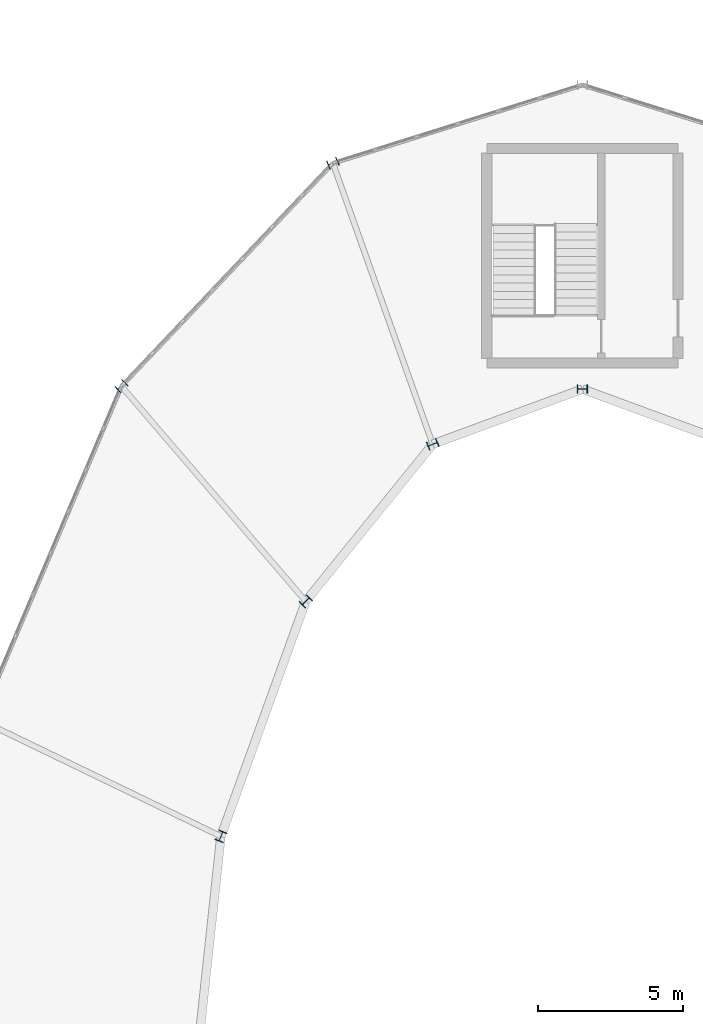
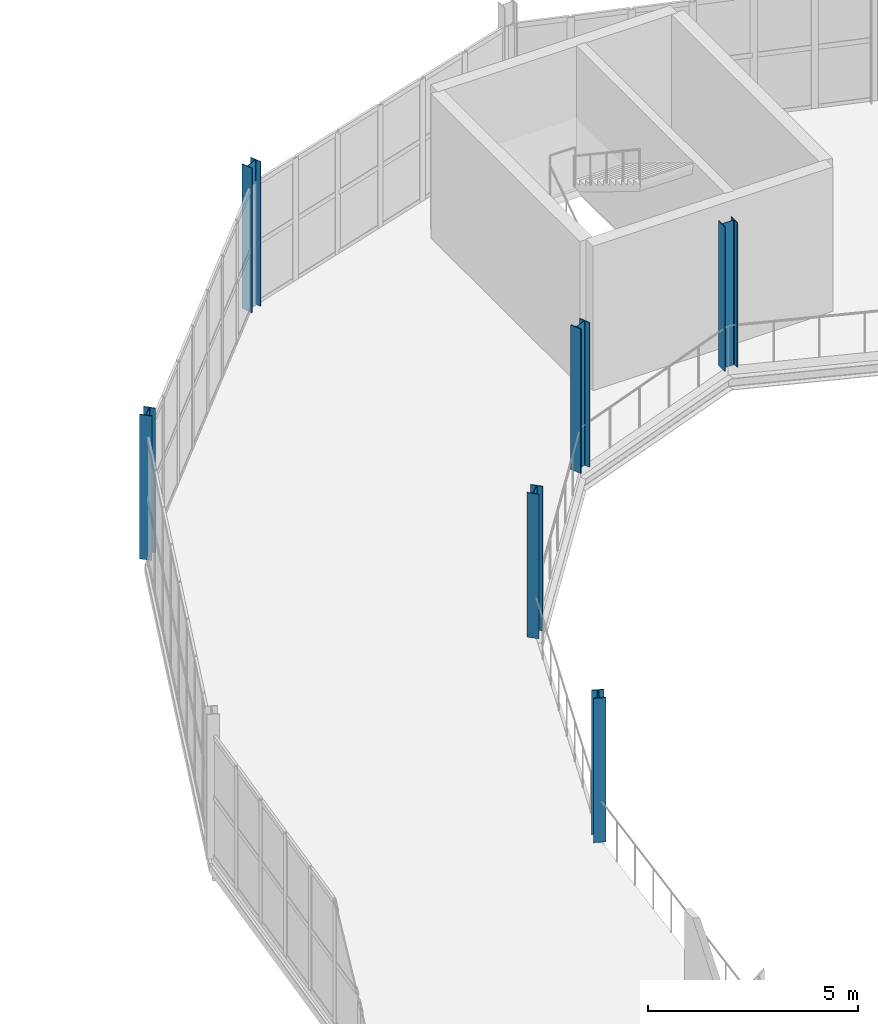
# One storey, part 26 of 161: 6 columns.
"""IFC4 building model written with IfcOpenShell, lengths in metres."""

import ifcopenshell
import ifcopenshell.guid

model = None  # the IFC model being written
_history = None  # IfcOwnerHistory: only IFC2X3 demands one
_inside = {}  # id of a spatial element -> (the spatial element, [elements in it])
_under = {}  # id of a project, library or spatial element -> (it, [spatial elements below it])
_declared = {}  # id of a project -> (the project, [libraries it declares])
_typed = {}  # id of a type object -> (the type object, [elements of that type])
_made_of = {}  # id of a material, layer set ... -> (it, [elements and type objects made of it])


def new_model(schema):
    """Start an empty IFC model of exactly this schema.

    Asked for "IFC4X3", IfcOpenShell would pick the latest addendum, in which some entities
    have other attributes; the version numbers below select the first issue.
    IFC2X3 requires an IfcOwnerHistory on every rooted entity: one is made here for all.
    """
    global model, _history
    if schema == "IFC4X3":
        model = ifcopenshell.file(schema_version=(4, 3, 0, 0))
    else:
        model = ifcopenshell.file(schema=schema)
    _inside.clear()
    _under.clear()
    _declared.clear()
    _typed.clear()
    _made_of.clear()
    _history = None
    if model.schema == "IFC2X3":
        org = make("IfcOrganization", Name="unknown")
        user = make(
            "IfcPersonAndOrganization",
            ThePerson=make("IfcPerson", FamilyName="unknown"),
            TheOrganization=org,
        )
        app = make(
            "IfcApplication",
            ApplicationDeveloper=org,
            Version="unknown",
            ApplicationFullName="unknown",
            ApplicationIdentifier="unknown",
        )
        _history = make(
            "IfcOwnerHistory",
            OwningUser=user,
            OwningApplication=app,
            ChangeAction="ADDED",
            CreationDate=0,
        )
    return model


def make(cls, **values):
    """One entity of the class cls with the attributes given. An attribute that is None is left unset."""
    return model.create_entity(
        cls, **{name: value for name, value in values.items() if value is not None}
    )


def rooted(cls, **values):
    """An entity with a GlobalId (a new one), such as an element, a storey or a relation."""
    return make(cls, GlobalId=ifcopenshell.guid.new(), OwnerHistory=_history, **values)


def si_unit(unit_type, name, prefix=None):
    """IfcSIUnit, for example si_unit("LENGTHUNIT", "METRE", prefix="MILLI")."""
    return make("IfcSIUnit", UnitType=unit_type, Prefix=prefix, Name=name)


def assignment(units):
    """IfcUnitAssignment: the units of a project."""
    return None if units is None else make("IfcUnitAssignment", Units=units)


def point(xyz):
    """IfcCartesianPoint."""
    return None if xyz is None else make("IfcCartesianPoint", Coordinates=xyz)


def direction(xyz):
    """IfcDirection."""
    return None if xyz is None else make("IfcDirection", DirectionRatios=xyz)


def frame(location, z_axis=None, x_axis=None):
    """IfcAxis2Placement3D, a coordinate frame: its origin and axes. An axis left out is left unset."""
    return make(
        "IfcAxis2Placement3D",
        Location=point(location),
        Axis=direction(z_axis),
        RefDirection=direction(x_axis),
    )


def frame_2d(location, x_axis=None):
    """IfcAxis2Placement2D, a coordinate frame in the plane: its origin and x axis."""
    return make(
        "IfcAxis2Placement2D", Location=point(location), RefDirection=direction(x_axis)
    )


def origin():
    """The frame at (0, 0, 0) with its axes left unset."""
    return frame((0.0, 0.0, 0.0))


def origin_2d():
    """The frame at (0, 0) in the plane with its x axis left unset."""
    return frame_2d((0.0, 0.0))


def place(relative_to, where):
    """IfcLocalPlacement: puts the frame where relative to a parent placement (None: the world)."""
    return make(
        "IfcLocalPlacement", PlacementRelTo=relative_to, RelativePlacement=where
    )


def context(
    kind, dimensions, precision=None, world=None, true_north=None, identifier=None
):
    """IfcGeometricRepresentationContext, for example the 3D "Model" context."""
    return make(
        "IfcGeometricRepresentationContext",
        ContextIdentifier=identifier,
        ContextType=kind,
        CoordinateSpaceDimension=dimensions,
        Precision=precision,
        WorldCoordinateSystem=world,
        TrueNorth=true_north,
    )


def subcontext(parent, identifier, kind, view, scale=None):
    """IfcGeometricRepresentationSubContext, for example "Body" below "Model"."""
    return make(
        "IfcGeometricRepresentationSubContext",
        ContextIdentifier=identifier,
        ContextType=kind,
        ParentContext=parent,
        TargetScale=scale,
        TargetView=view,
    )


def project(units=None, contexts=None):
    """IfcProject with its units and contexts."""
    return rooted(
        "IfcProject",
        Name="project",
        RepresentationContexts=contexts,
        UnitsInContext=assignment(units),
    )


def spatial(cls, under=None, at=None, **own):
    """A site, building, storey or space (cls), placed at a placement, below another one or the project."""
    s = rooted(cls, ObjectPlacement=at, **own)
    if under is not None:
        _under.setdefault(under.id(), (under, []))[1].append(s)
    return s


def profile(cls, at=None, kind="AREA", **sizes):
    """A parametric profile (cls). Its sizes go by their IFC names, for example OverallWidth=200.0."""
    return make(cls, ProfileType=kind, Position=at, **sizes)


def i_section(**sizes):
    """IfcIShapeProfileDef."""
    return profile("IfcIShapeProfileDef", **sizes)


def extrude(swept, where, along, depth):
    """IfcExtrudedAreaSolid: the profile swept, set in the frame where, extruded along a direction by depth."""
    return make(
        "IfcExtrudedAreaSolid",
        SweptArea=swept,
        Position=where,
        ExtrudedDirection=direction(along),
        Depth=depth,
    )


def shape(context_of_items, identifier, shape_type, items):
    """IfcShapeRepresentation: the items that make up one representation, for example the "Body"."""
    return make(
        "IfcShapeRepresentation",
        ContextOfItems=context_of_items,
        RepresentationIdentifier=identifier,
        RepresentationType=shape_type,
        Items=items,
    )


def material(Name=None, Category=None):
    """IfcMaterial."""
    return make("IfcMaterial", Name=Name, Category=Category)


def material_profile(
    of_material, cross_section, Name=None, Category=None, Priority=None
):
    """IfcMaterialProfile: a cross section and its material."""
    return make(
        "IfcMaterialProfile",
        Name=Name,
        Material=of_material,
        Profile=cross_section,
        Priority=Priority,
        Category=Category,
    )


def profile_set(profiles, Name=None, composite=None):
    """IfcMaterialProfileSet."""
    return make(
        "IfcMaterialProfileSet",
        Name=Name,
        MaterialProfiles=profiles,
        CompositeProfile=composite,
    )


def made_of(thing, what):
    """Note that an element or type object is made of a material, layer set ...; save() writes the relation."""
    if what is not None:
        _made_of.setdefault(what.id(), (what, []))[1].append(thing)
    return thing


def type_object(cls, material=None, **own):
    """A type object (cls), such as IfcWallType, which elements share."""
    return made_of(rooted(cls, **own), material)


def element(
    cls,
    number,
    at=None,
    inside=None,
    cuts=None,
    type_object=None,
    material=None,
    context=None,
    identifier="Body",
    shape_type=None,
    held_by="IfcProductDefinitionShape",
    body=None,
    shapes=None,
    **own,
):
    """One element of the class cls, such as IfcWall. Its Tag is "e" and its number.

    at: its placement. inside: the storey or other place that contains it. cuts: it is an
    opening in that element (IfcRelVoidsElement). A single representation is given by context,
    identifier, shape_type and body (its items); several are given by shapes. held_by: the class
    of the entity that holds the representations. save() writes the other relations.
    """
    e = rooted(cls, Tag="e%d" % number, ObjectPlacement=at, **own)
    if body is not None:
        shapes = [shape(context, identifier, shape_type, body)]
    if shapes is not None:
        e.Representation = make(held_by, Representations=shapes)
    if inside is not None:
        _inside.setdefault(inside.id(), (inside, []))[1].append(e)
    if cuts is not None:
        rooted(
            "IfcRelVoidsElement", RelatingBuildingElement=cuts, RelatedOpeningElement=e
        )
    if type_object is not None:
        _typed.setdefault(type_object.id(), (type_object, []))[1].append(e)
    return made_of(e, material)


def aggregate(whole, parts):
    """IfcRelAggregates: a whole, such as a stair, and the parts it consists of."""
    return rooted("IfcRelAggregates", RelatingObject=whole, RelatedObjects=parts)


def save(model, path):
    """Write the relations noted so far, then the file.

    IfcRelAggregates (storeys below a building ...), IfcRelContainedInSpatialStructure (elements
    in a storey), IfcRelDefinesByType, IfcRelAssociatesMaterial and IfcRelDeclares: one each for
    every whole, place, type object, material and project.
    """
    for whole, parts in _under.values():
        aggregate(whole, parts)
    for where, things in _inside.values():
        rooted(
            "IfcRelContainedInSpatialStructure",
            RelatedElements=things,
            RelatingStructure=where,
        )
    for kind, things in _typed.values():
        rooted("IfcRelDefinesByType", RelatedObjects=things, RelatingType=kind)
    for what, things in _made_of.values():
        rooted("IfcRelAssociatesMaterial", RelatedObjects=things, RelatingMaterial=what)
    for by, libraries in _declared.values():
        rooted("IfcRelDeclares", RelatingContext=by, RelatedDefinitions=libraries)
    model.write(path)


model = new_model("IFC4")

# Units and contexts
model_context = context("Model", 3, precision=1e-05, world=origin(), true_north=direction((0.0, 1.0)))
body_context = subcontext(model_context, "Body", "Model", "MODEL_VIEW")
ifc_project = project(units=[si_unit("LENGTHUNIT", "METRE"), si_unit("AREAUNIT", "SQUARE_METRE"), si_unit("VOLUMEUNIT", "CUBIC_METRE"), si_unit("PLANEANGLEUNIT", "RADIAN"), si_unit("MASSUNIT", "GRAM", prefix="KILO")], contexts=[model_context])

# Site, building, storey
site_placement = place(None, origin())
site = spatial("IfcSite", under=ifc_project, at=site_placement, CompositionType="ELEMENT")
building_placement = place(site_placement, origin())
building = spatial("IfcBuilding", under=site, at=building_placement, Name="Kildeholm Park Wholesale Market", CompositionType="ELEMENT")
storey_placement = place(building_placement, frame((0.0, 0.0, 5.39990234375)))
storey = spatial("IfcBuildingStorey", under=building, at=storey_placement, Name="L01", CompositionType="ELEMENT", Elevation=5.39990234375)

# Columns
ifc_material = material(Name="Steel S355", Category="steel")
ifc_material_profile = material_profile(ifc_material, i_section(OverallWidth=0.300048828125, OverallDepth=0.360107421875, WebThickness=0.012451171875, FlangeThickness=0.0224609375, FilletRadius=0.027099609375, at=origin_2d()), Name="HEB 360")
ifc_profile_set = profile_set([ifc_material_profile], Name="Steel S355")
column_type = type_object("IfcColumnType", Name="Column C-S04 HEB 360", PredefinedType="COLUMN", material=ifc_profile_set)
for number, where, z_axis, x_axis, name in (
    (1, (188.0, 119.5, 0.0), (0.0, 0.0, 1.0), (0.0, 1.0, 0.0), "Column V2-IN-04 L01 COL-0238"),
    (2, (182.833984375, 117.596923828125, 0.0), (0.0, 0.0, 1.0), (-0.382683432365, 0.923879532511, 0.0), "Column V2-IN-05 L01 COL-0243"),
    (3, (179.389892578125, 127.298095703125, 0.0), (0.0, 0.0, 1.0), (-0.382683432365, 0.923879532511, 0.0), "Column V2-OT-05 L01 COL-0246"),
    (4, (178.4541015625, 112.177978515625, 0.0), (0.0, 0.0, 1.0), (-0.707106781187, 0.707106781187, 0.0), "Column V2-IN-06 L01 COL-0248"),
    (5, (172.090087890625, 119.60205078125, 0.0), (0.0, 0.0, 1.0), (-0.707106781187, 0.707106781187, 0.0), "Column V2-OT-06 L01 COL-0251"),
    (6, (175.528076171875, 104.06689453125, 0.0), (0.0, 0.0, 1.0), (-0.923879532511, 0.382683432365, 0.0), "Column V2-IN-07 L01 COL-0253"),
):
    element("IfcColumn", number, at=place(storey_placement, frame(where, z_axis=z_axis, x_axis=x_axis)), inside=storey, type_object=column_type, Name=name, PredefinedType="COLUMN", context=body_context, shape_type="SweptSolid", body=[
        extrude(i_section(OverallWidth=0.300048828125, OverallDepth=0.360107421875, WebThickness=0.012451171875, FlangeThickness=0.0224609375, FilletRadius=0.027099609375, at=origin_2d()), origin(), (0.0, 0.0, 1.0), 4.2001953125),
    ])

save(model, "model.ifc")
